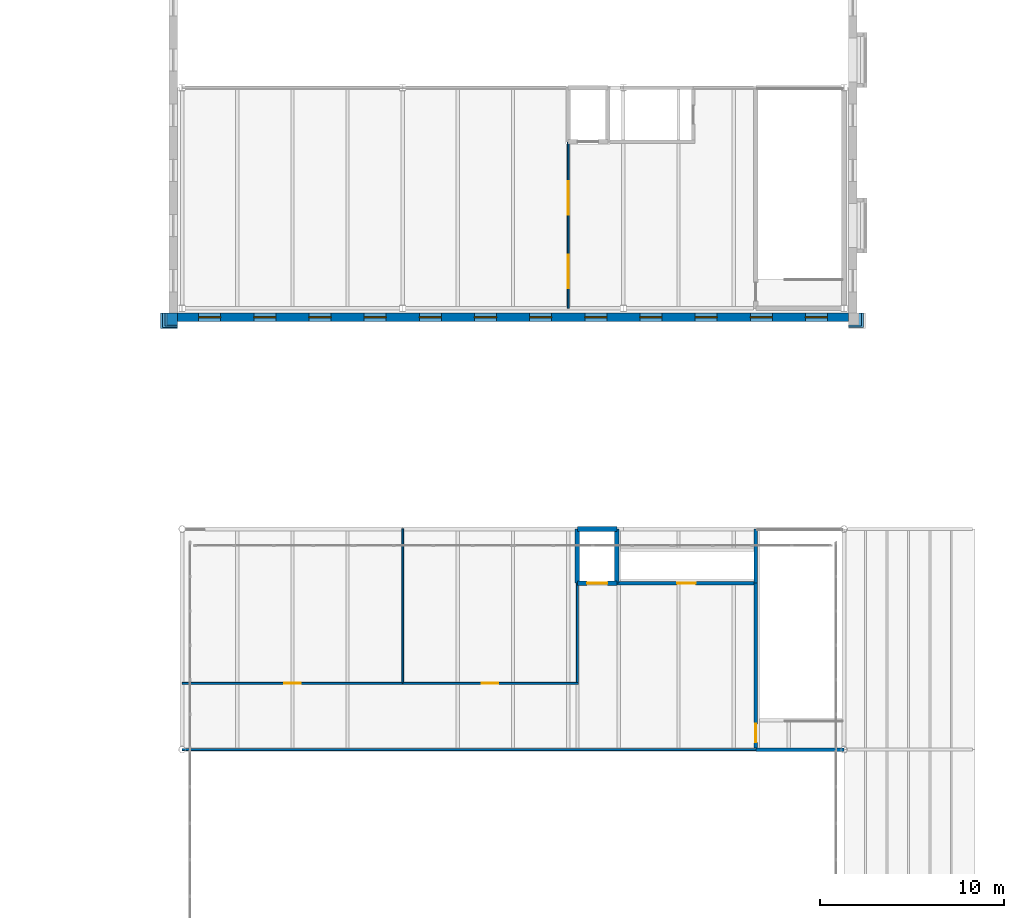
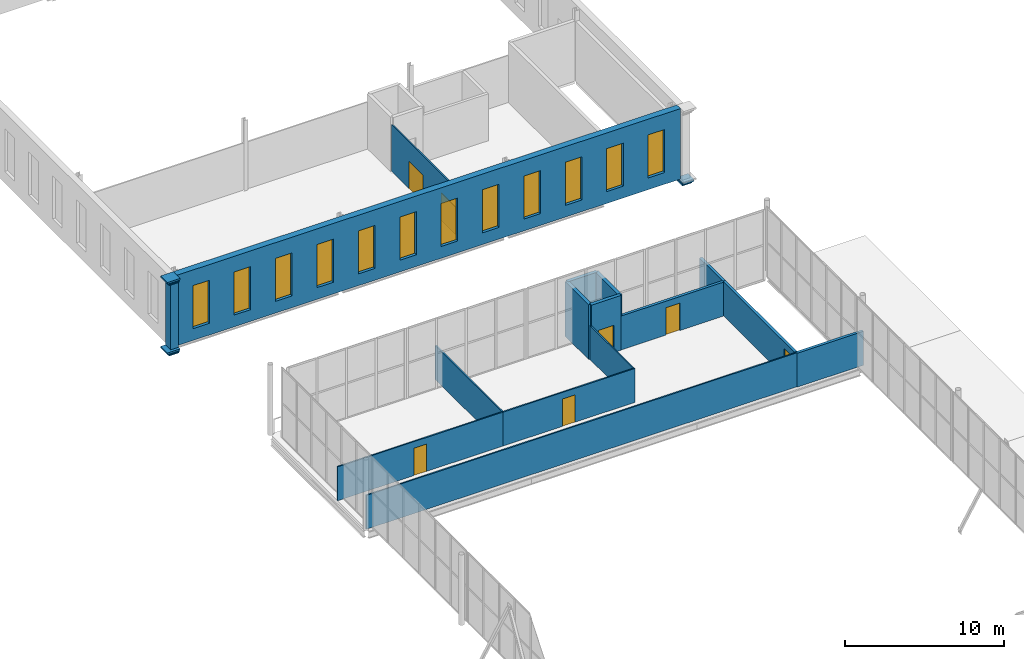
# One storey, part 114 of 170: 24 walls, 12 windows, 7 doors, 19 openings.
"""IFC4 building model written with IfcOpenShell, lengths in metres."""

from ifc_helpers import new_model, si_unit, direction, frame, frame_2d, origin, place, context, subcontext, project, spatial, rectangle, extrude, material, layer, layer_set, type_object, element, fill, save


model = new_model("IFC4")

# Units and contexts
model_context = context("Model", 3, precision=1e-05, world=origin(), true_north=direction((0.0, 1.0)))
body_context = subcontext(model_context, "Body", "Model", "MODEL_VIEW")
ifc_project = project(units=[si_unit("LENGTHUNIT", "METRE"), si_unit("AREAUNIT", "SQUARE_METRE"), si_unit("VOLUMEUNIT", "CUBIC_METRE"), si_unit("PLANEANGLEUNIT", "RADIAN"), si_unit("MASSUNIT", "GRAM", prefix="KILO")], contexts=[model_context])

# Site, building, storey
site_placement = place(None, origin())
site = spatial("IfcSite", under=ifc_project, at=site_placement, CompositionType="ELEMENT")
building_placement = place(site_placement, origin())
building = spatial("IfcBuilding", under=site, at=building_placement, Name="Ravi Spectrum Wholesale Market", CompositionType="ELEMENT")
storey_placement = place(building_placement, frame((0.0, 0.0, 5.39990234375)))
storey = spatial("IfcBuildingStorey", under=building, at=storey_placement, Name="L01", CompositionType="ELEMENT", Elevation=5.39990234375)

# Wall
ifc_material_1 = material(Name="Concrete blockwork", Category="masonry")
ifc_layer_1 = layer(ifc_material_1, 0.199951171875)
ifc_layer_set_1 = layer_set([ifc_layer_1], Name="Concrete blockwork")
wall_type_1 = type_object("IfcWallType", Name="Blockwork partition 200 fire", PredefinedType="PARTITIONING", material=ifc_layer_set_1)
wall_1_placement = place(storey_placement, frame((193.199951171875, 174.0, 0.0), z_axis=(0.0, 0.0, 1.0), x_axis=(1.0, 0.0, 0.0)))
element("IfcWall", 1, at=wall_1_placement, inside=storey, type_object=wall_type_1, Name="H3-WL-L01-002", PredefinedType="PARTITIONING", context=body_context, shape_type="SweptSolid", body=[
    extrude(rectangle(XDim=4.800048828125, YDim=0.199951171875, at=frame_2d((2.39990234375, 0.0))), origin(), (0.0, 0.0, 1.0), 2.60009765625),
])

# Wall, opening, door
wall_2_placement = place(storey_placement, frame((185.64990234375, 183.050048828125, 0.0), z_axis=(0.0, 0.0, 1.0), x_axis=(1.0, 0.0, 0.0)))
wall_2 = element("IfcWall", 2, at=wall_2_placement, inside=storey, type_object=wall_type_1, Name="H3-WL-L01-005", PredefinedType="PARTITIONING", context=body_context, shape_type="SweptSolid", body=[
    extrude(rectangle(XDim=7.4501953125, YDim=0.199951171875, at=frame_2d((3.72509765625, 0.0))), origin(), (0.0, 0.0, 1.0), 2.60009765625),
])
opening_1_placement = place(wall_2_placement, frame((3.27490234375, 0.0, 0.0)))
opening_1 = element("IfcOpeningElement", 3, at=opening_1_placement, cuts=wall_2, Name="Opening D372", PredefinedType="OPENING", context=body_context, shape_type="SweptSolid", body=[
    extrude(rectangle(XDim=1.0, YDim=2.10009765625, at=frame_2d((0.5, 1.050048828125))), frame((0.0, 0.10986328125, 0.0), z_axis=(0.0, -1.0, 0.0), x_axis=(1.0, 0.0, 0.0)), (0.0, 0.0, 1.0), 0.219970703125),
])
ifc_material_2 = material(Name="Steel door", Category="steel")
door_type_1 = type_object("IfcDoorType", Name="Plant room door 1000 x 2100", OperationType="SINGLE_SWING_LEFT", PredefinedType="DOOR", material=ifc_material_2)
door_1_placement = place(opening_1_placement, origin())
door_1 = element("IfcDoor", 4, at=door_1_placement, inside=storey, type_object=door_type_1, Name="Riser access door D372", OperationType="SINGLE_SWING_LEFT", OverallHeight=2.10009765625, OverallWidth=1.0, PredefinedType="DOOR", context=body_context, shape_type="SweptSolid", body=[
    extrude(rectangle(XDim=1.0, YDim=2.10009765625, at=frame_2d((0.5, 1.050048828125))), frame((0.0, 0.02490234375, 0.0), z_axis=(0.0, -1.0, 0.0), x_axis=(1.0, 0.0, 0.0)), (0.0, 0.0, 1.0), 0.050048828125),
])
fill(opening_1, door_1)

wall_3_placement = place(storey_placement, frame((193.199951171875, 174.10009765625, 0.0), z_axis=(0.0, 0.0, 1.0), x_axis=(0.0, 1.0, 0.0)))
wall_3 = element("IfcWall", 5, at=wall_3_placement, inside=storey, type_object=wall_type_1, Name="H3-WL-L01-008", PredefinedType="PARTITIONING", context=body_context, shape_type="SweptSolid", body=[
    extrude(rectangle(XDim=8.949951171875, YDim=0.199951171875, at=frame_2d((4.47509765625, 0.0))), origin(), (0.0, 0.0, 1.0), 2.60009765625),
])
opening_2_placement = place(wall_3_placement, frame((0.300048828125, 0.0, 0.0)))
opening_2 = element("IfcOpeningElement", 6, at=opening_2_placement, cuts=wall_3, Name="Opening D369", PredefinedType="OPENING", context=body_context, shape_type="SweptSolid", body=[
    extrude(rectangle(XDim=1.0, YDim=2.10009765625, at=frame_2d((0.5, 1.050048828125))), frame((0.0, 0.10986328125, 0.0), z_axis=(0.0, -1.0, 0.0), x_axis=(1.0, 0.0, 0.0)), (0.0, 0.0, 1.0), 0.219970703125),
])
ifc_material_3 = material(Name="Steel door", Category="steel")
door_type_2 = type_object("IfcDoorType", Name="Stair door 1000 x 2100", OperationType="SINGLE_SWING_LEFT", PredefinedType="DOOR", material=ifc_material_3)
door_2_placement = place(opening_2_placement, origin())
door_2 = element("IfcDoor", 7, at=door_2_placement, inside=storey, type_object=door_type_2, Name="Door D369", OperationType="SINGLE_SWING_RIGHT", OverallHeight=2.10009765625, OverallWidth=1.0, PredefinedType="DOOR", context=body_context, shape_type="SweptSolid", body=[
    extrude(rectangle(XDim=1.0, YDim=2.10009765625, at=frame_2d((0.5, 1.050048828125))), frame((0.0, 0.02490234375, 0.0), z_axis=(0.0, -1.0, 0.0), x_axis=(1.0, 0.0, 0.0)), (0.0, 0.0, 1.0), 0.050048828125),
])
fill(opening_2, door_2)

# Wall
wall_4_placement = place(storey_placement, frame((193.199951171875, 183.050048828125, 0.0), z_axis=(0.0, 0.0, 1.0), x_axis=(0.0, 1.0, 0.0)))
element("IfcWall", 8, at=wall_4_placement, inside=storey, type_object=wall_type_1, Name="H3-WL-L01-009", PredefinedType="PARTITIONING", context=body_context, shape_type="SweptSolid", body=[
    extrude(rectangle(XDim=2.949951171875, YDim=0.199951171875, at=frame_2d((1.47509765625, 0.0))), origin(), (0.0, 0.0, 1.0), 2.60009765625),
])

# Wall, openings, windows
ifc_material_4 = material(Name="Clinker brickwork", Category="masonry")
ifc_layer_2 = layer(ifc_material_4, 0.4599609375)
ifc_layer_set_2 = layer_set([ifc_layer_2], Name="Clinker brickwork")
wall_type_2 = type_object("IfcWallType", Name="Brick 460 pier wall", PredefinedType="SOLIDWALL", material=ifc_layer_set_2)
wall_5_placement = place(storey_placement, frame((161.75, 197.52001953125, 0.0), z_axis=(0.0, 0.0, 1.0), x_axis=(1.0, 0.0, 0.0)))
wall_5 = element("IfcWall", 9, at=wall_5_placement, inside=storey, type_object=wall_type_2, Name="AU-WL-L01-033", PredefinedType="SOLIDWALL", context=body_context, shape_type="SweptSolid", body=[
    extrude(rectangle(XDim=36.5, YDim=0.4599609375, at=frame_2d((18.25, 0.0))), origin(), (0.0, 0.0, 1.0), 5.400146484375),
])
opening_3_placement = place(wall_5_placement, frame((1.14990234375, 0.0, 0.89990234375)))
opening_3 = element("IfcOpeningElement", 10, at=opening_3_placement, cuts=wall_5, Name="Opening W2433", PredefinedType="OPENING", context=body_context, shape_type="SweptSolid", body=[
    extrude(rectangle(XDim=1.199951171875, YDim=3.300048828125, at=frame_2d((0.60009765625, 1.64990234375))), frame((0.0, 0.239990234375, 0.0), z_axis=(0.0, -1.0, 0.0), x_axis=(1.0, 0.0, 0.0)), (0.0, 0.0, 1.0), 0.47998046875),
])
opening_4_placement = place(wall_5_placement, frame((4.14990234375, 0.0, 0.89990234375)))
opening_4 = element("IfcOpeningElement", 11, at=opening_4_placement, cuts=wall_5, Name="Opening W2434", PredefinedType="OPENING", context=body_context, shape_type="SweptSolid", body=[
    extrude(rectangle(XDim=1.199951171875, YDim=3.300048828125, at=frame_2d((0.60009765625, 1.64990234375))), frame((0.0, 0.239990234375, 0.0), z_axis=(0.0, -1.0, 0.0), x_axis=(1.0, 0.0, 0.0)), (0.0, 0.0, 1.0), 0.47998046875),
])
opening_5_placement = place(wall_5_placement, frame((7.14990234375, 0.0, 0.89990234375)))
opening_5 = element("IfcOpeningElement", 12, at=opening_5_placement, cuts=wall_5, Name="Opening W2435", PredefinedType="OPENING", context=body_context, shape_type="SweptSolid", body=[
    extrude(rectangle(XDim=1.199951171875, YDim=3.300048828125, at=frame_2d((0.60009765625, 1.64990234375))), frame((0.0, 0.239990234375, 0.0), z_axis=(0.0, -1.0, 0.0), x_axis=(1.0, 0.0, 0.0)), (0.0, 0.0, 1.0), 0.47998046875),
])
opening_6_placement = place(wall_5_placement, frame((10.14990234375, 0.0, 0.89990234375)))
opening_6 = element("IfcOpeningElement", 13, at=opening_6_placement, cuts=wall_5, Name="Opening W2436", PredefinedType="OPENING", context=body_context, shape_type="SweptSolid", body=[
    extrude(rectangle(XDim=1.199951171875, YDim=3.300048828125, at=frame_2d((0.60009765625, 1.64990234375))), frame((0.0, 0.239990234375, 0.0), z_axis=(0.0, -1.0, 0.0), x_axis=(1.0, 0.0, 0.0)), (0.0, 0.0, 1.0), 0.47998046875),
])
opening_7_placement = place(wall_5_placement, frame((13.14990234375, 0.0, 0.89990234375)))
opening_7 = element("IfcOpeningElement", 14, at=opening_7_placement, cuts=wall_5, Name="Opening W2437", PredefinedType="OPENING", context=body_context, shape_type="SweptSolid", body=[
    extrude(rectangle(XDim=1.199951171875, YDim=3.300048828125, at=frame_2d((0.60009765625, 1.64990234375))), frame((0.0, 0.239990234375, 0.0), z_axis=(0.0, -1.0, 0.0), x_axis=(1.0, 0.0, 0.0)), (0.0, 0.0, 1.0), 0.47998046875),
])
opening_8_placement = place(wall_5_placement, frame((16.14990234375, 0.0, 0.89990234375)))
opening_8 = element("IfcOpeningElement", 15, at=opening_8_placement, cuts=wall_5, Name="Opening W2438", PredefinedType="OPENING", context=body_context, shape_type="SweptSolid", body=[
    extrude(rectangle(XDim=1.199951171875, YDim=3.300048828125, at=frame_2d((0.60009765625, 1.64990234375))), frame((0.0, 0.239990234375, 0.0), z_axis=(0.0, -1.0, 0.0), x_axis=(1.0, 0.0, 0.0)), (0.0, 0.0, 1.0), 0.47998046875),
])
opening_9_placement = place(wall_5_placement, frame((19.14990234375, 0.0, 0.89990234375)))
opening_9 = element("IfcOpeningElement", 16, at=opening_9_placement, cuts=wall_5, Name="Opening W2439", PredefinedType="OPENING", context=body_context, shape_type="SweptSolid", body=[
    extrude(rectangle(XDim=1.199951171875, YDim=3.300048828125, at=frame_2d((0.60009765625, 1.64990234375))), frame((0.0, 0.239990234375, 0.0), z_axis=(0.0, -1.0, 0.0), x_axis=(1.0, 0.0, 0.0)), (0.0, 0.0, 1.0), 0.47998046875),
])
opening_10_placement = place(wall_5_placement, frame((22.14990234375, 0.0, 0.89990234375)))
opening_10 = element("IfcOpeningElement", 17, at=opening_10_placement, cuts=wall_5, Name="Opening W2440", PredefinedType="OPENING", context=body_context, shape_type="SweptSolid", body=[
    extrude(rectangle(XDim=1.199951171875, YDim=3.300048828125, at=frame_2d((0.60009765625, 1.64990234375))), frame((0.0, 0.239990234375, 0.0), z_axis=(0.0, -1.0, 0.0), x_axis=(1.0, 0.0, 0.0)), (0.0, 0.0, 1.0), 0.47998046875),
])
opening_11_placement = place(wall_5_placement, frame((25.14990234375, 0.0, 0.89990234375)))
opening_11 = element("IfcOpeningElement", 18, at=opening_11_placement, cuts=wall_5, Name="Opening W2441", PredefinedType="OPENING", context=body_context, shape_type="SweptSolid", body=[
    extrude(rectangle(XDim=1.199951171875, YDim=3.300048828125, at=frame_2d((0.60009765625, 1.64990234375))), frame((0.0, 0.239990234375, 0.0), z_axis=(0.0, -1.0, 0.0), x_axis=(1.0, 0.0, 0.0)), (0.0, 0.0, 1.0), 0.47998046875),
])
opening_12_placement = place(wall_5_placement, frame((28.14990234375, 0.0, 0.89990234375)))
opening_12 = element("IfcOpeningElement", 19, at=opening_12_placement, cuts=wall_5, Name="Opening W2442", PredefinedType="OPENING", context=body_context, shape_type="SweptSolid", body=[
    extrude(rectangle(XDim=1.199951171875, YDim=3.300048828125, at=frame_2d((0.60009765625, 1.64990234375))), frame((0.0, 0.239990234375, 0.0), z_axis=(0.0, -1.0, 0.0), x_axis=(1.0, 0.0, 0.0)), (0.0, 0.0, 1.0), 0.47998046875),
])
opening_13_placement = place(wall_5_placement, frame((31.14990234375, 0.0, 0.89990234375)))
opening_13 = element("IfcOpeningElement", 20, at=opening_13_placement, cuts=wall_5, Name="Opening W2443", PredefinedType="OPENING", context=body_context, shape_type="SweptSolid", body=[
    extrude(rectangle(XDim=1.199951171875, YDim=3.300048828125, at=frame_2d((0.60009765625, 1.64990234375))), frame((0.0, 0.239990234375, 0.0), z_axis=(0.0, -1.0, 0.0), x_axis=(1.0, 0.0, 0.0)), (0.0, 0.0, 1.0), 0.47998046875),
])
opening_14_placement = place(wall_5_placement, frame((34.14990234375, 0.0, 0.89990234375)))
opening_14 = element("IfcOpeningElement", 21, at=opening_14_placement, cuts=wall_5, Name="Opening W2444", PredefinedType="OPENING", context=body_context, shape_type="SweptSolid", body=[
    extrude(rectangle(XDim=1.199951171875, YDim=3.300048828125, at=frame_2d((0.60009765625, 1.64990234375))), frame((0.0, 0.239990234375, 0.0), z_axis=(0.0, -1.0, 0.0), x_axis=(1.0, 0.0, 0.0)), (0.0, 0.0, 1.0), 0.47998046875),
])
ifc_material_5 = material(Name="Steel window frame", Category="steel")
window_type = type_object("IfcWindowType", Name="Tall pier window 1200 x 3300", PartitioningType="SINGLE_PANEL", PredefinedType="WINDOW", material=ifc_material_5)
window_1_placement = place(opening_3_placement, origin())
window_1 = element("IfcWindow", 22, at=window_1_placement, inside=storey, type_object=window_type, Name="Window W2433", OverallHeight=3.300048828125, OverallWidth=1.199951171875, PartitioningType="SINGLE_PANEL", PredefinedType="WINDOW", context=body_context, shape_type="SweptSolid", body=[
    extrude(rectangle(XDim=1.199951171875, YDim=3.300048828125, at=frame_2d((0.60009765625, 1.64990234375))), frame((0.0, 0.030029296875, 0.0), z_axis=(0.0, -1.0, 0.0), x_axis=(1.0, 0.0, 0.0)), (0.0, 0.0, 1.0), 0.06005859375),
])
fill(opening_3, window_1)
window_2_placement = place(opening_4_placement, origin())
window_2 = element("IfcWindow", 23, at=window_2_placement, inside=storey, type_object=window_type, Name="Window W2434", OverallHeight=3.300048828125, OverallWidth=1.199951171875, PartitioningType="SINGLE_PANEL", PredefinedType="WINDOW", context=body_context, shape_type="SweptSolid", body=[
    extrude(rectangle(XDim=1.199951171875, YDim=3.300048828125, at=frame_2d((0.60009765625, 1.64990234375))), frame((0.0, 0.030029296875, 0.0), z_axis=(0.0, -1.0, 0.0), x_axis=(1.0, 0.0, 0.0)), (0.0, 0.0, 1.0), 0.06005859375),
])
fill(opening_4, window_2)
window_3_placement = place(opening_5_placement, origin())
window_3 = element("IfcWindow", 24, at=window_3_placement, inside=storey, type_object=window_type, Name="Window W2435", OverallHeight=3.300048828125, OverallWidth=1.199951171875, PartitioningType="SINGLE_PANEL", PredefinedType="WINDOW", context=body_context, shape_type="SweptSolid", body=[
    extrude(rectangle(XDim=1.199951171875, YDim=3.300048828125, at=frame_2d((0.60009765625, 1.64990234375))), frame((0.0, 0.030029296875, 0.0), z_axis=(0.0, -1.0, 0.0), x_axis=(1.0, 0.0, 0.0)), (0.0, 0.0, 1.0), 0.06005859375),
])
fill(opening_5, window_3)
window_4_placement = place(opening_6_placement, origin())
window_4 = element("IfcWindow", 25, at=window_4_placement, inside=storey, type_object=window_type, Name="Window W2436", OverallHeight=3.300048828125, OverallWidth=1.199951171875, PartitioningType="SINGLE_PANEL", PredefinedType="WINDOW", context=body_context, shape_type="SweptSolid", body=[
    extrude(rectangle(XDim=1.199951171875, YDim=3.300048828125, at=frame_2d((0.60009765625, 1.64990234375))), frame((0.0, 0.030029296875, 0.0), z_axis=(0.0, -1.0, 0.0), x_axis=(1.0, 0.0, 0.0)), (0.0, 0.0, 1.0), 0.06005859375),
])
fill(opening_6, window_4)
window_5_placement = place(opening_7_placement, origin())
window_5 = element("IfcWindow", 26, at=window_5_placement, inside=storey, type_object=window_type, Name="Window W2437", OverallHeight=3.300048828125, OverallWidth=1.199951171875, PartitioningType="SINGLE_PANEL", PredefinedType="WINDOW", context=body_context, shape_type="SweptSolid", body=[
    extrude(rectangle(XDim=1.199951171875, YDim=3.300048828125, at=frame_2d((0.60009765625, 1.64990234375))), frame((0.0, 0.030029296875, 0.0), z_axis=(0.0, -1.0, 0.0), x_axis=(1.0, 0.0, 0.0)), (0.0, 0.0, 1.0), 0.06005859375),
])
fill(opening_7, window_5)
window_6_placement = place(opening_8_placement, origin())
window_6 = element("IfcWindow", 27, at=window_6_placement, inside=storey, type_object=window_type, Name="Window W2438", OverallHeight=3.300048828125, OverallWidth=1.199951171875, PartitioningType="SINGLE_PANEL", PredefinedType="WINDOW", context=body_context, shape_type="SweptSolid", body=[
    extrude(rectangle(XDim=1.199951171875, YDim=3.300048828125, at=frame_2d((0.60009765625, 1.64990234375))), frame((0.0, 0.030029296875, 0.0), z_axis=(0.0, -1.0, 0.0), x_axis=(1.0, 0.0, 0.0)), (0.0, 0.0, 1.0), 0.06005859375),
])
fill(opening_8, window_6)
window_7_placement = place(opening_9_placement, origin())
window_7 = element("IfcWindow", 28, at=window_7_placement, inside=storey, type_object=window_type, Name="Window W2439", OverallHeight=3.300048828125, OverallWidth=1.199951171875, PartitioningType="SINGLE_PANEL", PredefinedType="WINDOW", context=body_context, shape_type="SweptSolid", body=[
    extrude(rectangle(XDim=1.199951171875, YDim=3.300048828125, at=frame_2d((0.60009765625, 1.64990234375))), frame((0.0, 0.030029296875, 0.0), z_axis=(0.0, -1.0, 0.0), x_axis=(1.0, 0.0, 0.0)), (0.0, 0.0, 1.0), 0.06005859375),
])
fill(opening_9, window_7)
window_8_placement = place(opening_10_placement, origin())
window_8 = element("IfcWindow", 29, at=window_8_placement, inside=storey, type_object=window_type, Name="Window W2440", OverallHeight=3.300048828125, OverallWidth=1.199951171875, PartitioningType="SINGLE_PANEL", PredefinedType="WINDOW", context=body_context, shape_type="SweptSolid", body=[
    extrude(rectangle(XDim=1.199951171875, YDim=3.300048828125, at=frame_2d((0.60009765625, 1.64990234375))), frame((0.0, 0.030029296875, 0.0), z_axis=(0.0, -1.0, 0.0), x_axis=(1.0, 0.0, 0.0)), (0.0, 0.0, 1.0), 0.06005859375),
])
fill(opening_10, window_8)
window_9_placement = place(opening_11_placement, origin())
window_9 = element("IfcWindow", 30, at=window_9_placement, inside=storey, type_object=window_type, Name="Window W2441", OverallHeight=3.300048828125, OverallWidth=1.199951171875, PartitioningType="SINGLE_PANEL", PredefinedType="WINDOW", context=body_context, shape_type="SweptSolid", body=[
    extrude(rectangle(XDim=1.199951171875, YDim=3.300048828125, at=frame_2d((0.60009765625, 1.64990234375))), frame((0.0, 0.030029296875, 0.0), z_axis=(0.0, -1.0, 0.0), x_axis=(1.0, 0.0, 0.0)), (0.0, 0.0, 1.0), 0.06005859375),
])
fill(opening_11, window_9)
window_10_placement = place(opening_12_placement, origin())
window_10 = element("IfcWindow", 31, at=window_10_placement, inside=storey, type_object=window_type, Name="Window W2442", OverallHeight=3.300048828125, OverallWidth=1.199951171875, PartitioningType="SINGLE_PANEL", PredefinedType="WINDOW", context=body_context, shape_type="SweptSolid", body=[
    extrude(rectangle(XDim=1.199951171875, YDim=3.300048828125, at=frame_2d((0.60009765625, 1.64990234375))), frame((0.0, 0.030029296875, 0.0), z_axis=(0.0, -1.0, 0.0), x_axis=(1.0, 0.0, 0.0)), (0.0, 0.0, 1.0), 0.06005859375),
])
fill(opening_12, window_10)
window_11_placement = place(opening_13_placement, origin())
window_11 = element("IfcWindow", 32, at=window_11_placement, inside=storey, type_object=window_type, Name="Window W2443", OverallHeight=3.300048828125, OverallWidth=1.199951171875, PartitioningType="SINGLE_PANEL", PredefinedType="WINDOW", context=body_context, shape_type="SweptSolid", body=[
    extrude(rectangle(XDim=1.199951171875, YDim=3.300048828125, at=frame_2d((0.60009765625, 1.64990234375))), frame((0.0, 0.030029296875, 0.0), z_axis=(0.0, -1.0, 0.0), x_axis=(1.0, 0.0, 0.0)), (0.0, 0.0, 1.0), 0.06005859375),
])
fill(opening_13, window_11)
window_12_placement = place(opening_14_placement, origin())
window_12 = element("IfcWindow", 33, at=window_12_placement, inside=storey, type_object=window_type, Name="Window W2444", OverallHeight=3.300048828125, OverallWidth=1.199951171875, PartitioningType="SINGLE_PANEL", PredefinedType="WINDOW", context=body_context, shape_type="SweptSolid", body=[
    extrude(rectangle(XDim=1.199951171875, YDim=3.300048828125, at=frame_2d((0.60009765625, 1.64990234375))), frame((0.0, 0.030029296875, 0.0), z_axis=(0.0, -1.0, 0.0), x_axis=(1.0, 0.0, 0.0)), (0.0, 0.0, 1.0), 0.06005859375),
])
fill(opening_14, window_12)

# Walls
ifc_material_6 = material(Name="Clinker brickwork", Category="masonry")
ifc_layer_3 = layer(ifc_material_6, 0.715087890625)
ifc_layer_set_3 = layer_set([ifc_layer_3], Name="Clinker brickwork")
wall_type_3 = type_object("IfcWallType", Name="Brick corbel 715", PredefinedType="SOLIDWALL", material=ifc_layer_set_3)
for number, where, z_axis, x_axis, name in (
    (34, (161.75, 197.392578125, -0.389892578125), (0.0, 0.0, 1.0), (-1.0, 0.0, 0.0), "AU-WL-L01-005"),
    (35, (198.25, 197.392578125, -0.389892578125), (0.0, 0.0, 1.0), (1.0, 0.0, 0.0), "AU-WL-L01-008"),
):
    element("IfcWall", number, at=place(storey_placement, frame(where, z_axis=z_axis, x_axis=x_axis)), inside=storey, type_object=wall_type_3, Name=name, PredefinedType="SOLIDWALL", context=body_context, shape_type="SweptSolid", body=[
        extrude(rectangle(XDim=0.68994140625, YDim=0.715087890625, at=frame_2d((0.344970703125, 0.0))), origin(), (0.0, 0.0, 1.0), 0.1298828125),
    ])
wall_6_placement = place(storey_placement, frame((161.75, 197.392578125, 5.010009765625), z_axis=(0.0, 0.0, 1.0), x_axis=(-1.0, 0.0, 0.0)))
element("IfcWall", 36, at=wall_6_placement, inside=storey, type_object=wall_type_3, Name="AU-WL-L01-018", PredefinedType="SOLIDWALL", context=body_context, shape_type="SweptSolid", body=[
    extrude(rectangle(XDim=0.68994140625, YDim=0.715087890625, at=frame_2d((0.344970703125, 0.0))), origin(), (0.0, 0.0, 1.0), 0.130126953125),
])
ifc_material_7 = material(Name="Clinker brickwork", Category="masonry")
ifc_layer_4 = layer(ifc_material_7, 0.784912109375)
ifc_layer_set_4 = layer_set([ifc_layer_4], Name="Clinker brickwork")
wall_type_4 = type_object("IfcWallType", Name="Brick corbel 785", PredefinedType="SOLIDWALL", material=ifc_layer_set_4)
for number, where, z_axis, x_axis, name in (
    (37, (161.75, 197.357421875, -0.260009765625), (0.0, 0.0, 1.0), (-1.0, 0.0, 0.0), "AU-WL-L01-006"),
    (38, (198.25, 197.357421875, -0.260009765625), (0.0, 0.0, 1.0), (1.0, 0.0, 0.0), "AU-WL-L01-009"),
):
    element("IfcWall", number, at=place(storey_placement, frame(where, z_axis=z_axis, x_axis=x_axis)), inside=storey, type_object=wall_type_4, Name=name, PredefinedType="SOLIDWALL", context=body_context, shape_type="SweptSolid", body=[
        extrude(rectangle(XDim=0.804931640625, YDim=0.784912109375, at=frame_2d((0.40234375, 0.0))), origin(), (0.0, 0.0, 1.0), 0.130126953125),
    ])
wall_7_placement = place(storey_placement, frame((161.75, 197.357421875, 5.14013671875), z_axis=(0.0, 0.0, 1.0), x_axis=(-1.0, 0.0, 0.0)))
element("IfcWall", 39, at=wall_7_placement, inside=storey, type_object=wall_type_4, Name="AU-WL-L01-019", PredefinedType="SOLIDWALL", context=body_context, shape_type="SweptSolid", body=[
    extrude(rectangle(XDim=0.804931640625, YDim=0.784912109375, at=frame_2d((0.40234375, 0.0))), origin(), (0.0, 0.0, 1.0), 0.1298828125),
])
ifc_material_8 = material(Name="Clinker brickwork", Category="masonry")
ifc_layer_5 = layer(ifc_material_8, 0.85498046875)
ifc_layer_set_5 = layer_set([ifc_layer_5], Name="Clinker brickwork")
wall_type_5 = type_object("IfcWallType", Name="Brick corbel 855", PredefinedType="SOLIDWALL", material=ifc_layer_set_5)
wall_8_placement = place(storey_placement, frame((161.75, 197.322509765625, -0.1298828125), z_axis=(0.0, 0.0, 1.0), x_axis=(-1.0, 0.0, 0.0)))
element("IfcWall", 40, at=wall_8_placement, inside=storey, type_object=wall_type_5, Name="AU-WL-L01-007", PredefinedType="SOLIDWALL", context=body_context, shape_type="SweptSolid", body=[
    extrude(rectangle(XDim=0.919921875, YDim=0.85498046875, at=frame_2d((0.4599609375, 0.0))), origin(), (0.0, 0.0, 1.0), 0.1298828125),
])
wall_9_placement = place(storey_placement, frame((161.75, 197.322509765625, 5.27001953125), z_axis=(0.0, 0.0, 1.0), x_axis=(-1.0, 0.0, 0.0)))
element("IfcWall", 41, at=wall_9_placement, inside=storey, type_object=wall_type_5, Name="AU-WL-L01-020", PredefinedType="SOLIDWALL", context=body_context, shape_type="SweptSolid", body=[
    extrude(rectangle(XDim=0.919921875, YDim=0.85498046875, at=frame_2d((0.4599609375, 0.0))), origin(), (0.0, 0.0, 1.0), 0.130126953125),
])
ifc_material_9 = material(Name="Clinker brickwork", Category="masonry")
ifc_layer_6 = layer(ifc_material_9, 0.64501953125)
ifc_layer_set_6 = layer_set([ifc_layer_6], Name="Clinker brickwork")
wall_type_6 = type_object("IfcWallType", Name="Brick pier 645", PredefinedType="SOLIDWALL", material=ifc_layer_set_6)
wall_10_placement = place(storey_placement, frame((161.75, 197.427490234375, 0.0), z_axis=(0.0, 0.0, 1.0), x_axis=(-1.0, 0.0, 0.0)))
element("IfcWall", 42, at=wall_10_placement, inside=storey, type_object=wall_type_6, Name="AU-WL-L01-017", PredefinedType="SOLIDWALL", context=body_context, shape_type="SweptSolid", body=[
    extrude(rectangle(XDim=0.574951171875, YDim=0.64501953125, at=frame_2d((0.28759765625, 0.0))), origin(), (0.0, 0.0, 1.0), 5.010009765625),
])
ifc_material_10 = material(Name="Gypsum board partition")
ifc_layer_7 = layer(ifc_material_10, 0.10009765625)
ifc_layer_set_7 = layer_set([ifc_layer_7], Name="Gypsum board partition")
wall_type_7 = type_object("IfcWallType", Name="Drywall partition 100", PredefinedType="PARTITIONING", material=ifc_layer_set_7)
wall_11_placement = place(storey_placement, frame((162.0, 174.0, 0.0), z_axis=(0.0, 0.0, 1.0), x_axis=(1.0, 0.0, 0.0)))
element("IfcWall", 43, at=wall_11_placement, inside=storey, type_object=wall_type_7, Name="H3-WL-L01-001", PredefinedType="PARTITIONING", context=body_context, shape_type="SweptSolid", body=[
    extrude(rectangle(XDim=31.199951171875, YDim=0.10009765625, at=frame_2d((15.60009765625, 0.0))), origin(), (0.0, 0.0, 1.0), 2.60009765625),
])

# Wall, opening, door
wall_12_placement = place(storey_placement, frame((162.0, 177.60009765625, 0.0), z_axis=(0.0, 0.0, 1.0), x_axis=(1.0, 0.0, 0.0)))
wall_12 = element("IfcWall", 44, at=wall_12_placement, inside=storey, type_object=wall_type_7, Name="H3-WL-L01-003", PredefinedType="PARTITIONING", context=body_context, shape_type="SweptSolid", body=[
    extrude(rectangle(XDim=12.0, YDim=0.10009765625, at=frame_2d((6.0, 0.0))), origin(), (0.0, 0.0, 1.0), 2.60009765625),
])
opening_15_placement = place(wall_12_placement, frame((5.550048828125, 0.0, 0.0)))
opening_15 = element("IfcOpeningElement", 45, at=opening_15_placement, cuts=wall_12, Name="Opening D370", PredefinedType="OPENING", context=body_context, shape_type="SweptSolid", body=[
    extrude(rectangle(XDim=0.89990234375, YDim=2.10009765625, at=frame_2d((0.449951171875, 1.050048828125))), frame((0.0, 0.06005859375, 0.0), z_axis=(0.0, -1.0, 0.0), x_axis=(1.0, 0.0, 0.0)), (0.0, 0.0, 1.0), 0.1201171875),
])
ifc_material_11 = material(Name="Timber door", Category="wood")
door_type_3 = type_object("IfcDoorType", Name="Office door 900 x 2100", OperationType="SINGLE_SWING_LEFT", PredefinedType="DOOR", material=ifc_material_11)
door_3_placement = place(opening_15_placement, origin())
door_3 = element("IfcDoor", 46, at=door_3_placement, inside=storey, type_object=door_type_3, Name="Door D370", OperationType="SINGLE_SWING_RIGHT", OverallHeight=2.10009765625, OverallWidth=0.89990234375, PredefinedType="DOOR", context=body_context, shape_type="SweptSolid", body=[
    extrude(rectangle(XDim=0.89990234375, YDim=2.10009765625, at=frame_2d((0.449951171875, 1.050048828125))), frame((0.0, 0.02490234375, 0.0), z_axis=(0.0, -1.0, 0.0), x_axis=(1.0, 0.0, 0.0)), (0.0, 0.0, 1.0), 0.050048828125),
])
fill(opening_15, door_3)

wall_13_placement = place(storey_placement, frame((174.0, 177.60009765625, 0.0), z_axis=(0.0, 0.0, 1.0), x_axis=(1.0, 0.0, 0.0)))
wall_13 = element("IfcWall", 47, at=wall_13_placement, inside=storey, type_object=wall_type_7, Name="H3-WL-L01-004", PredefinedType="PARTITIONING", context=body_context, shape_type="SweptSolid", body=[
    extrude(rectangle(XDim=9.550048828125, YDim=0.10009765625, at=frame_2d((4.77490234375, 0.0))), origin(), (0.0, 0.0, 1.0), 2.60009765625),
])
opening_16_placement = place(wall_13_placement, frame((4.300048828125, 0.0, 0.0)))
opening_16 = element("IfcOpeningElement", 48, at=opening_16_placement, cuts=wall_13, Name="Opening D371", PredefinedType="OPENING", context=body_context, shape_type="SweptSolid", body=[
    extrude(rectangle(XDim=0.89990234375, YDim=2.10009765625, at=frame_2d((0.449951171875, 1.050048828125))), frame((0.0, 0.06005859375, 0.0), z_axis=(0.0, -1.0, 0.0), x_axis=(1.0, 0.0, 0.0)), (0.0, 0.0, 1.0), 0.1201171875),
])
door_4_placement = place(opening_16_placement, origin())
door_4 = element("IfcDoor", 49, at=door_4_placement, inside=storey, type_object=door_type_3, Name="Door D371", OperationType="SINGLE_SWING_RIGHT", OverallHeight=2.10009765625, OverallWidth=0.89990234375, PredefinedType="DOOR", context=body_context, shape_type="SweptSolid", body=[
    extrude(rectangle(XDim=0.89990234375, YDim=2.10009765625, at=frame_2d((0.449951171875, 1.050048828125))), frame((0.0, 0.02490234375, 0.0), z_axis=(0.0, -1.0, 0.0), x_axis=(1.0, 0.0, 0.0)), (0.0, 0.0, 1.0), 0.050048828125),
])
fill(opening_16, door_4)

# Walls
wall_14_placement = place(storey_placement, frame((174.0, 177.64990234375, 0.0), z_axis=(0.0, 0.0, 1.0), x_axis=(0.0, 1.0, 0.0)))
element("IfcWall", 50, at=wall_14_placement, inside=storey, type_object=wall_type_7, Name="H3-WL-L01-006", PredefinedType="PARTITIONING", context=body_context, shape_type="SweptSolid", body=[
    extrude(rectangle(XDim=8.35009765625, YDim=0.10009765625, at=frame_2d((4.175048828125, 0.0))), origin(), (0.0, 0.0, 1.0), 2.60009765625),
])
wall_15_placement = place(storey_placement, frame((183.5, 177.64990234375, 0.0), z_axis=(0.0, 0.0, 1.0), x_axis=(0.0, 1.0, 0.0)))
element("IfcWall", 51, at=wall_15_placement, inside=storey, type_object=wall_type_7, Name="H3-WL-L01-007", PredefinedType="PARTITIONING", context=body_context, shape_type="SweptSolid", body=[
    extrude(rectangle(XDim=5.400146484375, YDim=0.10009765625, at=frame_2d((2.7001953125, 0.0))), origin(), (0.0, 0.0, 1.0), 2.60009765625),
])

# Wall, openings, doors
wall_16_placement = place(storey_placement, frame((183.0, 198.0, 0.0), z_axis=(0.0, 0.0, 1.0), x_axis=(0.0, 1.0, 0.0)))
wall_16 = element("IfcWall", 52, at=wall_16_placement, inside=storey, type_object=wall_type_7, Name="AU-WL-L01-097", PredefinedType="PARTITIONING", context=body_context, shape_type="SweptSolid", body=[
    extrude(rectangle(XDim=9.050048828125, YDim=0.10009765625, at=frame_2d((4.52490234375, 0.0))), origin(), (0.0, 0.0, 1.0), 3.60009765625),
])
opening_17_placement = place(wall_16_placement, frame((5.10009765625, 0.0, 0.0)))
opening_17 = element("IfcOpeningElement", 53, at=opening_17_placement, cuts=wall_16, Name="Opening D422", PredefinedType="OPENING", context=body_context, shape_type="SweptSolid", body=[
    extrude(rectangle(XDim=1.800048828125, YDim=2.10009765625, at=frame_2d((0.89990234375, 1.050048828125))), frame((0.0, 0.06005859375, 0.0), z_axis=(0.0, -1.0, 0.0), x_axis=(1.0, 0.0, 0.0)), (0.0, 0.0, 1.0), 0.1201171875),
])
opening_18_placement = place(wall_16_placement, frame((1.10009765625, 0.0, 0.0)))
opening_18 = element("IfcOpeningElement", 54, at=opening_18_placement, cuts=wall_16, Name="Opening D423", PredefinedType="OPENING", context=body_context, shape_type="SweptSolid", body=[
    extrude(rectangle(XDim=1.800048828125, YDim=2.10009765625, at=frame_2d((0.89990234375, 1.050048828125))), frame((0.0, 0.06005859375, 0.0), z_axis=(0.0, -1.0, 0.0), x_axis=(1.0, 0.0, 0.0)), (0.0, 0.0, 1.0), 0.1201171875),
])
ifc_material_12 = material(Name="Steel door", Category="steel")
door_type_4 = type_object("IfcDoorType", Name="Double leaf door 1800 x 2100", OperationType="DOUBLE_DOOR_SINGLE_SWING", PredefinedType="DOOR", material=ifc_material_12)
door_5_placement = place(opening_17_placement, origin())
door_5 = element("IfcDoor", 55, at=door_5_placement, inside=storey, type_object=door_type_4, Name="Door D422", OperationType="DOUBLE_DOOR_SINGLE_SWING", OverallHeight=2.10009765625, OverallWidth=1.800048828125, PredefinedType="DOOR", context=body_context, shape_type="SweptSolid", body=[
    extrude(rectangle(XDim=1.800048828125, YDim=2.10009765625, at=frame_2d((0.89990234375, 1.050048828125))), frame((0.0, 0.02490234375, 0.0), z_axis=(0.0, -1.0, 0.0), x_axis=(1.0, 0.0, 0.0)), (0.0, 0.0, 1.0), 0.050048828125),
])
fill(opening_17, door_5)
door_6_placement = place(opening_18_placement, origin())
door_6 = element("IfcDoor", 56, at=door_6_placement, inside=storey, type_object=door_type_4, Name="Door D423", OperationType="DOUBLE_DOOR_SINGLE_SWING", OverallHeight=2.10009765625, OverallWidth=1.800048828125, PredefinedType="DOOR", context=body_context, shape_type="SweptSolid", body=[
    extrude(rectangle(XDim=1.800048828125, YDim=2.10009765625, at=frame_2d((0.89990234375, 1.050048828125))), frame((0.0, 0.02490234375, 0.0), z_axis=(0.0, -1.0, 0.0), x_axis=(1.0, 0.0, 0.0)), (0.0, 0.0, 1.0), 0.050048828125),
])
fill(opening_18, door_6)

# Walls
ifc_material_13 = material(Name="Concrete C35/45", Category="concrete")
ifc_layer_8 = layer(ifc_material_13, 0.25)
ifc_layer_set_8 = layer_set([ifc_layer_8], Name="Concrete C35/45")
wall_type_8 = type_object("IfcWallType", Name="Shaft wall 250", PredefinedType="SHEAR", material=ifc_layer_set_8)
wall_17_placement = place(storey_placement, frame((185.64990234375, 183.050048828125, 0.0), z_axis=(0.0, 0.0, 1.0), x_axis=(0.0, 1.0, 0.0)))
element("IfcWall", 57, at=wall_17_placement, inside=storey, type_object=wall_type_8, Name="H3-WL-L01-LF-H3-1-E", PredefinedType="SHEAR", context=body_context, shape_type="SweptSolid", body=[
    extrude(rectangle(XDim=2.949951171875, YDim=0.25, at=frame_2d((1.47509765625, 0.0))), origin(), (0.0, 0.0, 1.0), 4.2001953125),
])
wall_18_placement = place(storey_placement, frame((185.64990234375, 186.0, 0.0), z_axis=(0.0, 0.0, 1.0), x_axis=(-1.0, 0.0, 0.0)))
element("IfcWall", 58, at=wall_18_placement, inside=storey, type_object=wall_type_8, Name="H3-WL-L01-LF-H3-1-N", PredefinedType="SHEAR", context=body_context, shape_type="SweptSolid", body=[
    extrude(rectangle(XDim=2.14990234375, YDim=0.25, at=frame_2d((1.074951171875, 0.0))), origin(), (0.0, 0.0, 1.0), 4.2001953125),
])

# Wall, opening, door
wall_19_placement = place(storey_placement, frame((183.5, 183.050048828125, 0.0), z_axis=(0.0, 0.0, 1.0), x_axis=(1.0, 0.0, 0.0)))
wall_19 = element("IfcWall", 59, at=wall_19_placement, inside=storey, type_object=wall_type_8, Name="H3-WL-L01-LF-H3-1-S", PredefinedType="SHEAR", context=body_context, shape_type="SweptSolid", body=[
    extrude(rectangle(XDim=2.14990234375, YDim=0.25, at=frame_2d((1.074951171875, 0.0))), origin(), (0.0, 0.0, 1.0), 4.2001953125),
])
opening_19_placement = place(wall_19_placement, frame((0.52490234375, 0.0, 0.0)))
opening_19 = element("IfcOpeningElement", 60, at=opening_19_placement, cuts=wall_19, Name="Opening D374", PredefinedType="OPENING", context=body_context, shape_type="SweptSolid", body=[
    extrude(rectangle(XDim=1.10009765625, YDim=2.10009765625, at=frame_2d((0.550048828125, 1.050048828125))), frame((0.0, 0.135009765625, 0.0), z_axis=(0.0, -1.0, 0.0), x_axis=(1.0, 0.0, 0.0)), (0.0, 0.0, 1.0), 0.27001953125),
])
ifc_material_14 = material(Name="Stainless steel door", Category="steel")
door_type_5 = type_object("IfcDoorType", Name="Lift landing door 1100 x 2100", OperationType="SLIDING_TO_LEFT", PredefinedType="DOOR", material=ifc_material_14)
door_7_placement = place(opening_19_placement, origin())
door_7 = element("IfcDoor", 61, at=door_7_placement, inside=storey, type_object=door_type_5, Name="Landing door LF-H3-1 L01", OperationType="SLIDING_TO_LEFT", OverallHeight=2.10009765625, OverallWidth=1.10009765625, PredefinedType="DOOR", context=body_context, shape_type="SweptSolid", body=[
    extrude(rectangle(XDim=1.10009765625, YDim=2.10009765625, at=frame_2d((0.550048828125, 1.050048828125))), frame((0.0, 0.02490234375, 0.0), z_axis=(0.0, -1.0, 0.0), x_axis=(1.0, 0.0, 0.0)), (0.0, 0.0, 1.0), 0.050048828125),
])
fill(opening_19, door_7)

# Wall
wall_20_placement = place(storey_placement, frame((183.5, 186.0, 0.0), z_axis=(0.0, 0.0, 1.0), x_axis=(0.0, -1.0, 0.0)))
element("IfcWall", 62, at=wall_20_placement, inside=storey, type_object=wall_type_8, Name="H3-WL-L01-LF-H3-1-W", PredefinedType="SHEAR", context=body_context, shape_type="SweptSolid", body=[
    extrude(rectangle(XDim=2.949951171875, YDim=0.25, at=frame_2d((1.47509765625, 0.0))), origin(), (0.0, 0.0, 1.0), 4.2001953125),
])

save(model, "model.ifc")
